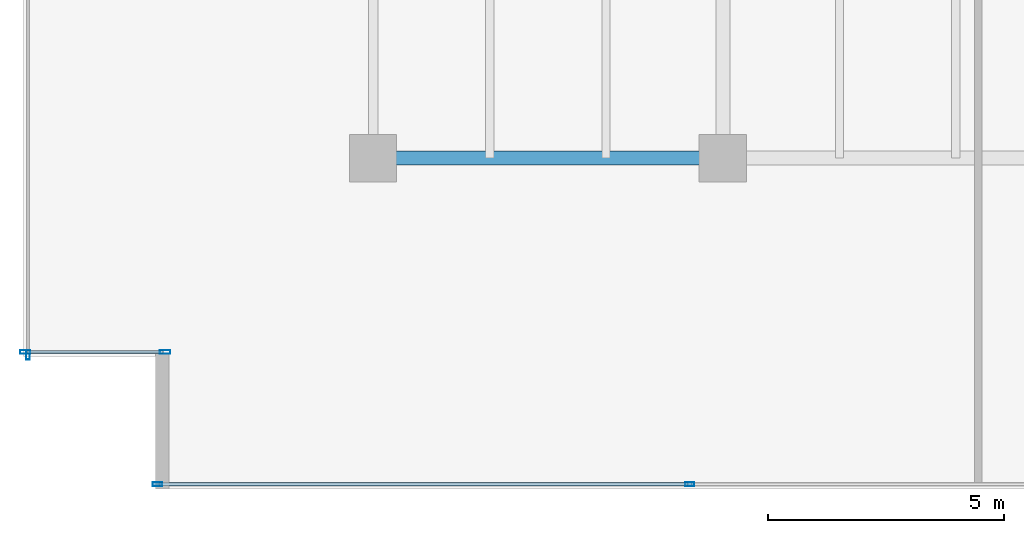
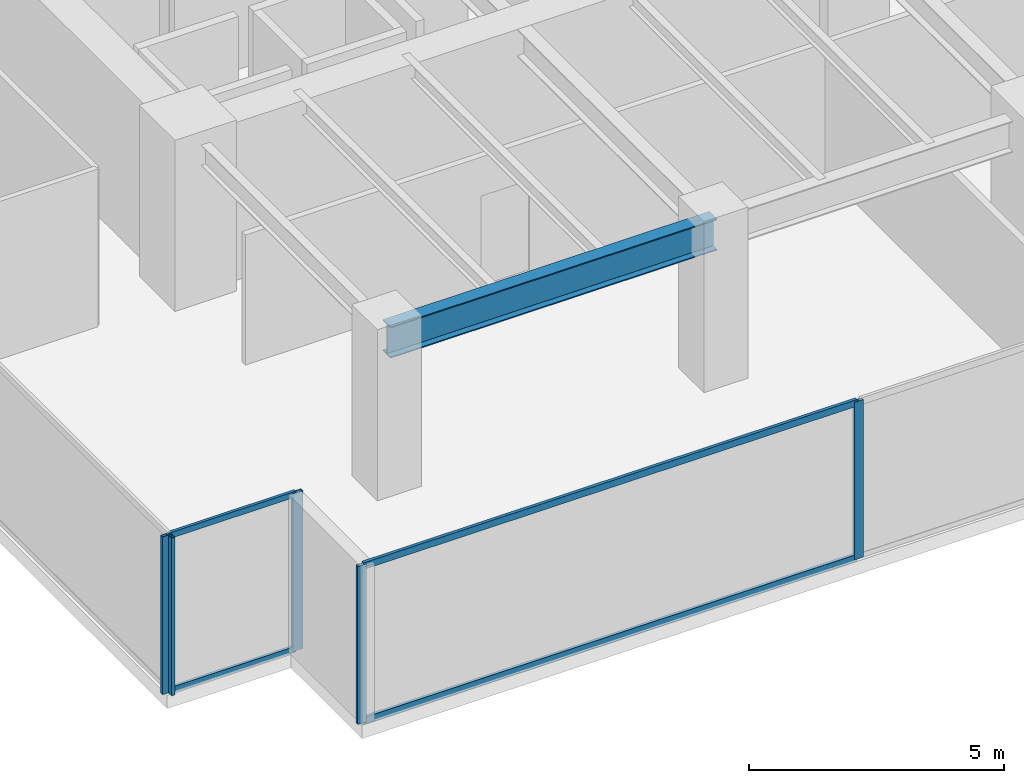
# One storey, part 2 of 35: 9 members, 1 beam, 3 elements without a shape of their own.
"""IFC4 building model written with IfcOpenShell, lengths in metres."""

from ifc_helpers import new_model, si_unit, direction, frame, origin, origin_2d, place, context, subcontext, project, spatial, hollow_rectangle, i_section, extrude, source, transform, mapped, material, layer, layer_set, material_profile, profile_set, type_object, type_shapes, element, aggregate, save


model = new_model("IFC4")

# Units and contexts
model_context = context("Model", 3, precision=1e-05, world=origin(), true_north=direction((0.0, 1.0)))
body_context = subcontext(model_context, "Body", "Model", "MODEL_VIEW")
ifc_project = project(units=[si_unit("LENGTHUNIT", "METRE"), si_unit("AREAUNIT", "SQUARE_METRE"), si_unit("VOLUMEUNIT", "CUBIC_METRE"), si_unit("PLANEANGLEUNIT", "RADIAN"), si_unit("MASSUNIT", "GRAM", prefix="KILO")], contexts=[model_context])

# Site, building, storey
site_placement = place(None, origin())
site = spatial("IfcSite", under=ifc_project, at=site_placement, CompositionType="ELEMENT")
building_placement = place(site_placement, origin())
building = spatial("IfcBuilding", under=site, at=building_placement, Name="Haelvirn Gate Laboratories", CompositionType="ELEMENT")
storey_placement = place(building_placement, frame((0.0, 0.0, 66.199951171875)))
storey = spatial("IfcBuildingStorey", under=building, at=storey_placement, Name="L16", CompositionType="ELEMENT", Elevation=66.199951171875)

# Beam
ifc_material_1 = material(Name="Steel SM355", Category="steel")
ifc_material_profile_1 = material_profile(ifc_material_1, i_section(OverallWidth=0.300048828125, OverallDepth=0.75, WebThickness=0.013916015625, FlangeThickness=0.02392578125, at=origin_2d()), Name="H-750x300x14x24")
ifc_profile_set_1 = profile_set([ifc_material_profile_1], Name="Steel SM355")
beam_type = type_object("IfcBeamType", Name="BM-G-750", PredefinedType="BEAM", material=ifc_profile_set_1)
shared_shape_1 = source(origin(), body_context, "Body", "SweptSolid", [
    extrude(i_section(OverallWidth=0.300048828125, OverallDepth=0.75, WebThickness=0.013916015625, FlangeThickness=0.02392578125, at=origin_2d()), origin(), (0.0, 0.0, 1.0), 7.400146484375),
])
type_shapes(beam_type, [shared_shape_1])
beam_placement = place(storey_placement, frame((7.39990234375, 7.0, 3.405029296875), z_axis=(1.0, 0.0, 0.0), x_axis=(0.0, 1.0, 0.0)))
element("IfcBeam", 1, at=beam_placement, inside=storey, type_object=beam_type, Name="L16 Primary Girder Y7.0 (7.4-14.8)", PredefinedType="BEAM", context=body_context, shape_type="MappedRepresentation", body=[
    mapped(shared_shape_1, transform((0.0, 0.0, 0.0), scale=1.0)),
])

# Curtain wall, members
ifc_material_2 = material(Name="Anodised bronze unitised aluminium & triple low-E glass", Category="aluminium")
ifc_layer_1 = layer(ifc_material_2, 0.18408203125, Name="CW-SYS-2")
ifc_layer_set_1 = layer_set([ifc_layer_1], Name="Anodised bronze unitised aluminium & triple low-E glass")
curtain_wall_type_1 = type_object("IfcCurtainWallType", Name="CW-SYS-2", PredefinedType="NOTDEFINED", material=ifc_layer_set_1)
curtain_wall_1_placement = place(storey_placement, origin())
curtain_wall_1 = element("IfcCurtainWall", 2, at=curtain_wall_1_placement, inside=storey, type_object=curtain_wall_type_1, Name="L16 Unitised Curtain Wall CW-L16-P0-E00-1", PredefinedType="NOTDEFINED")
ifc_material_3 = material(Name="Extruded aluminium 6063-T6 (anodised bronze)", Category="aluminium")
ifc_material_profile_2 = material_profile(ifc_material_3, hollow_rectangle(XDim=0.074951171875, YDim=0.199951171875, WallThickness=0.0048828125, at=origin_2d()), Name="CWM-200x75x5")
ifc_profile_set_2 = profile_set([ifc_material_profile_2], Name="Extruded aluminium 6063-T6 (anodised bronze)")
member_type_1 = type_object("IfcMemberType", Name="CWM-T200", PredefinedType="MULLION", material=ifc_profile_set_2)
shared_shape_2 = source(origin(), body_context, "Body", "SweptSolid", [
    extrude(hollow_rectangle(XDim=0.074951171875, YDim=0.199951171875, WallThickness=0.0048828125, at=origin_2d()), origin(), (0.0, 0.0, 1.0), 3.780029296875),
])
type_shapes(member_type_1, [shared_shape_2])
member_1_placement = place(storey_placement, frame((2.83740234375, 0.10009765625, 0.0), z_axis=(0.0, 0.0, 1.0), x_axis=(0.0, 1.0, 0.0)))
member_1 = element("IfcMember", 3, at=member_1_placement, type_object=member_type_1, Name="CW2 mullion 1", PredefinedType="MULLION", context=body_context, shape_type="MappedRepresentation", body=[
    mapped(shared_shape_2, transform((0.0, 0.0, 0.0), scale=1.0)),
])
member_2_placement = place(storey_placement, frame((14.10009765625, 0.10009765625, 0.0), z_axis=(0.0, 0.0, 1.0), x_axis=(0.0, 1.0, 0.0)))
member_2 = element("IfcMember", 4, at=member_2_placement, type_object=member_type_1, Name="CW2 mullion 2", PredefinedType="MULLION", context=body_context, shape_type="MappedRepresentation", body=[
    mapped(shared_shape_2, transform((0.0, 0.0, 0.0), scale=1.0)),
])

# Curtain wall, member
curtain_wall_2_placement = place(storey_placement, origin())
curtain_wall_2 = element("IfcCurtainWall", 5, at=curtain_wall_2_placement, inside=storey, type_object=curtain_wall_type_1, Name="L16 Unitised Curtain Wall CW-L16-P0-E17", PredefinedType="NOTDEFINED")
member_3_placement = place(storey_placement, frame((0.10009765625, 2.83740234375, 0.0), z_axis=(0.0, 0.0, 1.0), x_axis=(1.0, 0.0, 0.0)))
member_3 = element("IfcMember", 6, at=member_3_placement, type_object=member_type_1, Name="CW2 mullion 4", PredefinedType="MULLION", context=body_context, shape_type="MappedRepresentation", body=[
    mapped(shared_shape_2, transform((0.0, 0.0, 0.0), scale=1.0)),
])
aggregate(curtain_wall_2, [member_3])

# Member
ifc_material_profile_3 = material_profile(ifc_material_3, hollow_rectangle(XDim=0.070068359375, YDim=0.159912109375, WallThickness=0.0048828125, at=origin_2d()), Name="CWT-160x70x5")
ifc_profile_set_3 = profile_set([ifc_material_profile_3], Name="Extruded aluminium 6063-T6 (anodised bronze)")
member_type_2 = type_object("IfcMemberType", Name="CWT-T160", PredefinedType="USERDEFINED", material=ifc_profile_set_3)
shared_shape_3 = source(origin(), body_context, "Body", "SweptSolid", [
    extrude(hollow_rectangle(XDim=0.070068359375, YDim=0.159912109375, WallThickness=0.0048828125, at=origin_2d()), origin(), (0.0, 0.0, 1.0), 11.1875),
])
type_shapes(member_type_2, [shared_shape_3])
member_4_placement = place(storey_placement, frame((2.875, 0.10009765625, 0.03515625), z_axis=(1.0, 0.0, 0.0), x_axis=(0.0, 1.0, 0.0)))
member_4 = element("IfcMember", 7, at=member_4_placement, type_object=member_type_2, Name="CW2 transom 1.1", ObjectType="TRANSOM", PredefinedType="USERDEFINED", context=body_context, shape_type="MappedRepresentation", body=[
    mapped(shared_shape_3, transform((0.0, 0.0, 0.0), scale=1.0)),
])

member_5_placement = place(storey_placement, frame((2.875, 0.10009765625, 3.7451171875), z_axis=(1.0, 0.0, 0.0), x_axis=(0.0, 1.0, 0.0)))
member_5 = element("IfcMember", 8, at=member_5_placement, type_object=member_type_2, Name="CW2 transom 1.2", ObjectType="TRANSOM", PredefinedType="USERDEFINED", context=body_context, shape_type="MappedRepresentation", body=[
    mapped(shared_shape_3, transform((0.0, 0.0, 0.0), scale=1.0)),
])

aggregate(curtain_wall_1, [member_1, member_2, member_4, member_5])

# Curtain wall, members
ifc_layer_2 = layer(ifc_material_2, 0.181884765625, Name="CW-SYS-5")
ifc_layer_set_2 = layer_set([ifc_layer_2], Name="Anodised bronze unitised aluminium & triple low-E glass")
curtain_wall_type_2 = type_object("IfcCurtainWallType", Name="CW-SYS-5", PredefinedType="NOTDEFINED", material=ifc_layer_set_2)
curtain_wall_3_placement = place(storey_placement, origin())
curtain_wall_3 = element("IfcCurtainWall", 9, at=curtain_wall_3_placement, inside=storey, type_object=curtain_wall_type_2, Name="L16 Unitised Curtain Wall CW-L16-P0-E18-1", PredefinedType="NOTDEFINED")
ifc_material_profile_4 = material_profile(ifc_material_3, hollow_rectangle(XDim=0.080078125, YDim=0.219970703125, WallThickness=0.006103515625, at=origin_2d()), Name="CWM-220x80x6")
ifc_profile_set_4 = profile_set([ifc_material_profile_4], Name="Extruded aluminium 6063-T6 (anodised bronze)")
member_type_3 = type_object("IfcMemberType", Name="CWM-T220", PredefinedType="MULLION", material=ifc_profile_set_4)
shared_shape_4 = source(origin(), body_context, "Body", "SweptSolid", [
    extrude(hollow_rectangle(XDim=0.080078125, YDim=0.219970703125, WallThickness=0.006103515625, at=origin_2d()), origin(), (0.0, 0.0, 1.0), 3.780029296875),
])
type_shapes(member_type_3, [shared_shape_4])
member_6_placement = place(storey_placement, frame((0.0400390625, 2.89990234375, 0.0), z_axis=(0.0, 0.0, 1.0), x_axis=(0.0, 1.0, 0.0)))
member_6 = element("IfcMember", 10, at=member_6_placement, type_object=member_type_3, Name="CW5 mullion 1", PredefinedType="MULLION", context=body_context, shape_type="MappedRepresentation", body=[
    mapped(shared_shape_4, transform((0.0, 0.0, 0.0), scale=1.0)),
])
member_7_placement = place(storey_placement, frame((3.0, 2.89990234375, 0.0), z_axis=(0.0, 0.0, 1.0), x_axis=(0.0, 1.0, 0.0)))
member_7 = element("IfcMember", 11, at=member_7_placement, type_object=member_type_3, Name="CW5 mullion 2", PredefinedType="MULLION", context=body_context, shape_type="MappedRepresentation", body=[
    mapped(shared_shape_4, transform((0.0, 0.0, 0.0), scale=1.0)),
])
ifc_material_profile_5 = material_profile(ifc_material_3, hollow_rectangle(XDim=0.06494140625, YDim=0.139892578125, WallThickness=0.00390625, at=origin_2d()), Name="CWT-140x65x4")
ifc_profile_set_5 = profile_set([ifc_material_profile_5], Name="Extruded aluminium 6063-T6 (anodised bronze)")
member_type_4 = type_object("IfcMemberType", Name="CWT-T140", PredefinedType="USERDEFINED", material=ifc_profile_set_5)
shared_shape_5 = source(origin(), body_context, "Body", "SweptSolid", [
    extrude(hollow_rectangle(XDim=0.06494140625, YDim=0.139892578125, WallThickness=0.00390625, at=origin_2d()), origin(), (0.0, 0.0, 1.0), 2.8798828125),
])
type_shapes(member_type_4, [shared_shape_5])
member_8_placement = place(storey_placement, frame((0.080078125, 2.89990234375, 0.032470703125), z_axis=(1.0, 0.0, 0.0), x_axis=(0.0, 1.0, 0.0)))
member_8 = element("IfcMember", 12, at=member_8_placement, type_object=member_type_4, Name="CW5 transom 1.1", ObjectType="TRANSOM", PredefinedType="USERDEFINED", context=body_context, shape_type="MappedRepresentation", body=[
    mapped(shared_shape_5, transform((0.0, 0.0, 0.0), scale=1.0)),
])
member_9_placement = place(storey_placement, frame((0.080078125, 2.89990234375, 3.74755859375), z_axis=(1.0, 0.0, 0.0), x_axis=(0.0, 1.0, 0.0)))
member_9 = element("IfcMember", 13, at=member_9_placement, type_object=member_type_4, Name="CW5 transom 1.2", ObjectType="TRANSOM", PredefinedType="USERDEFINED", context=body_context, shape_type="MappedRepresentation", body=[
    mapped(shared_shape_5, transform((0.0, 0.0, 0.0), scale=1.0)),
])
aggregate(curtain_wall_3, [member_6, member_7, member_8, member_9])

save(model, "model.ifc")
